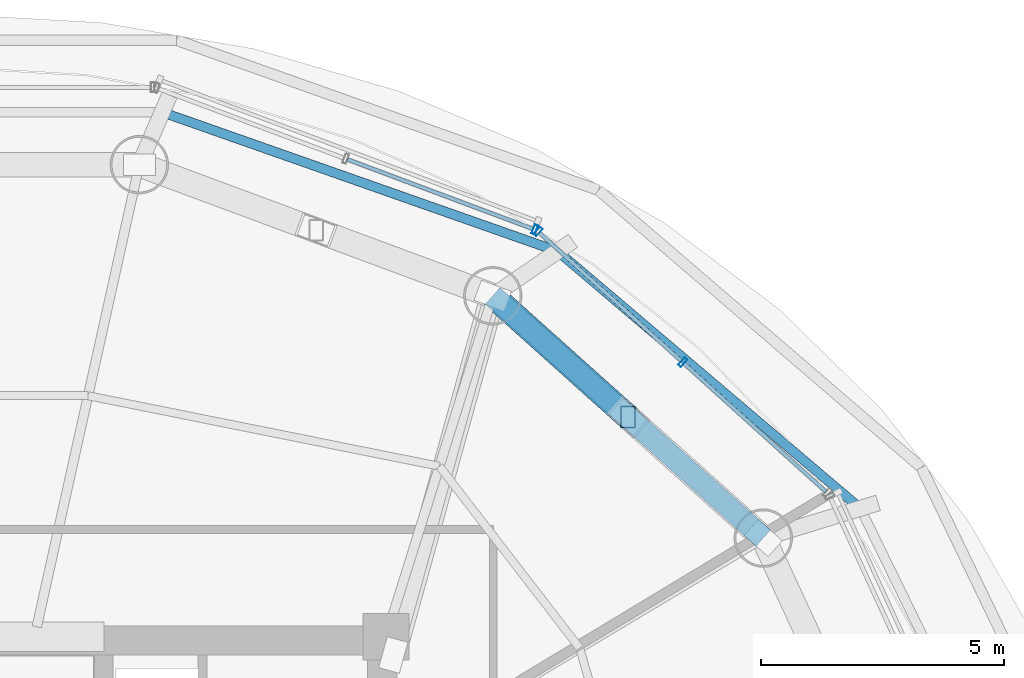
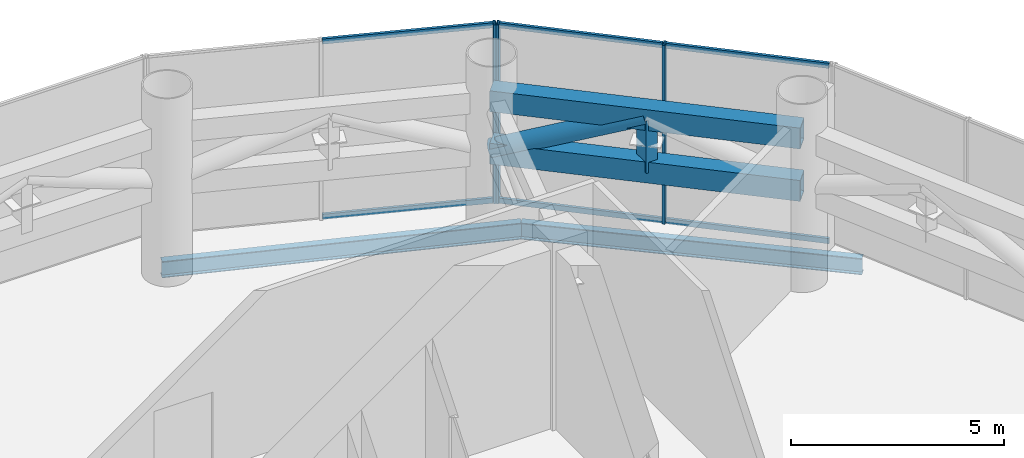
# One storey, part 18 of 25: 13 members, 2 beams, 2 elements without a shape of their own.
"""IFC4 building model written with IfcOpenShell, lengths in metres."""

from ifc_helpers import new_model, si_unit, direction, frame, origin, origin_2d, place, context, subcontext, project, spatial, hollow_rectangle, hollow_circle, i_section, extrude, source, transform, mapped, material, material_profile, profile_set, type_object, element, aggregate, save


model = new_model("IFC4")

# Units and contexts
model_context = context("Model", 3, precision=1e-05, world=origin(), true_north=direction((-0.2419218956, 0.970295726276)))
body_context = subcontext(model_context, "Body", "Model", "MODEL_VIEW")
ifc_project = project(units=[si_unit("LENGTHUNIT", "METRE"), si_unit("AREAUNIT", "SQUARE_METRE"), si_unit("VOLUMEUNIT", "CUBIC_METRE"), si_unit("PLANEANGLEUNIT", "RADIAN"), si_unit("MASSUNIT", "GRAM", prefix="KILO")], contexts=[model_context])

# Site, building, storey
site_placement = place(None, origin())
site = spatial("IfcSite", under=ifc_project, at=site_placement, CompositionType="ELEMENT")
building_placement = place(site_placement, origin())
building = spatial("IfcBuilding", under=site, at=building_placement, Name="Cobrevalo Terracotta Tower", CompositionType="ELEMENT")
storey_placement = place(building_placement, frame((0.0, 0.0, 185.800048828125)))
storey = spatial("IfcBuildingStorey", under=building, at=storey_placement, Name="L49", CompositionType="ELEMENT", Elevation=185.800048828125)

# Beams
ifc_material_1 = material(Name="Steel S355", Category="steel")
ifc_material_profile_1 = material_profile(ifc_material_1, i_section(OverallWidth=0.194091796875, OverallDepth=0.468994140625, WebThickness=0.011474609375, FlangeThickness=0.0205078125, at=origin_2d()), Name="W 460x106")
ifc_profile_set_1 = profile_set([ifc_material_profile_1], Name="Steel S355")
beam_type = type_object("IfcBeamType", Name="Structural Spandrel W 460x106 (Steel S355)", PredefinedType="SPANDREL", material=ifc_profile_set_1)
beam_1_placement = place(storey_placement, frame((56.749755859375, 37.439208984375, -0.6845703125), z_axis=(-0.762240337798, 0.647294112003, 0.0), x_axis=(-0.647294112003, -0.762240337798, 0.0)))
element("IfcBeam", 1, at=beam_1_placement, inside=storey, type_object=beam_type, Name="L49 perimeter ring spandrel 02", PredefinedType="SPANDREL", context=body_context, shape_type="SweptSolid", body=[
    extrude(i_section(OverallWidth=0.194091796875, OverallDepth=0.468994140625, WebThickness=0.011474609375, FlangeThickness=0.0205078125, at=origin_2d()), origin(), (0.0, 0.0, 1.0), 8.162353515625),
])
beam_2_placement = place(storey_placement, frame((50.528076171875, 42.72265625, -0.6845703125), z_axis=(-0.943341298492, 0.331824041565, 0.0), x_axis=(-0.331824041565, -0.943341298492, 0.0)))
element("IfcBeam", 2, at=beam_2_placement, inside=storey, type_object=beam_type, Name="L49 perimeter ring spandrel 03", PredefinedType="SPANDREL", context=body_context, shape_type="SweptSolid", body=[
    extrude(i_section(OverallWidth=0.194091796875, OverallDepth=0.468994140625, WebThickness=0.011474609375, FlangeThickness=0.0205078125, at=origin_2d()), origin(), (0.0, 0.0, 1.0), 8.6171875),
])

# Members
ifc_material_profile_2 = material_profile(ifc_material_1, hollow_rectangle(XDim=0.300048828125, YDim=0.449951171875, WallThickness=0.02001953125, at=origin_2d()), Name="RHS 450x300x20")
ifc_profile_set_2 = profile_set([ifc_material_profile_2], Name="Steel S355")
member_type_1 = type_object("IfcMemberType", Name="Steel Post RHS 450x300x20 (Steel S355)", PredefinedType="POST", material=ifc_profile_set_2)
shared_shape_1 = source(origin(), body_context, "Body", "SweptSolid", [
    extrude(hollow_rectangle(XDim=0.300048828125, YDim=0.449951171875, WallThickness=0.02001953125, at=origin_2d()), origin(), (0.0, 0.0, 1.0), 1.505126953125),
])
member_1_placement = place(storey_placement, frame((51.974365234375, 39.318115234375, 2.64990234375), z_axis=(0.0, 0.0, 1.0), x_axis=(1.0, 0.0, 0.0)))
element("IfcMember", 3, at=member_1_placement, inside=storey, type_object=member_type_1, Name="L49 belt truss post 02", PredefinedType="POST", context=body_context, shape_type="MappedRepresentation", body=[
    mapped(shared_shape_1, transform((0.0, 0.0, 0.0), scale=1.0)),
])
ifc_material_profile_3 = material_profile(ifc_material_1, hollow_rectangle(XDim=0.449951171875, YDim=0.60009765625, WallThickness=0.028076171875, at=origin_2d()), Name="RHS 600x450x28")
ifc_profile_set_3 = profile_set([ifc_material_profile_3], Name="Steel S355")
member_type_2 = type_object("IfcMemberType", Name="Steel Chord RHS 600x450x28 (Steel S355)", PredefinedType="CHORD", material=ifc_profile_set_3)
shared_shape_2 = source(origin(), body_context, "Body", "SweptSolid", [
    extrude(hollow_rectangle(XDim=0.449951171875, YDim=0.60009765625, WallThickness=0.028076171875, at=origin_2d()), origin(), (0.0, 0.0, 1.0), 7.463623046875),
])
for number, where, z_axis, x_axis, name in (
    (4, (54.754150390625, 36.828125, 2.64990234375), (-0.744851930997, 0.667229796165, 0.0), (-0.667229796165, -0.744851930997, 0.0), "L49 belt truss chord 02-BC"),
    (5, (54.754150390625, 36.828125, 4.155029296875), (-0.744851930997, 0.667229796165, 0.0), (-0.667229796165, -0.744851930997, 0.0), "L49 belt truss chord 02-TC"),
):
    element("IfcMember", number, at=place(storey_placement, frame(where, z_axis=z_axis, x_axis=x_axis)), inside=storey, type_object=member_type_2, Name=name, PredefinedType="CHORD", context=body_context, shape_type="MappedRepresentation", body=[
        mapped(shared_shape_2, transform((0.0, 0.0, 0.0), scale=1.0)),
    ])
ifc_material_profile_4 = material_profile(ifc_material_1, hollow_circle(Radius=0.25390625, WallThickness=0.02001953125, at=origin_2d()), Name="CHS 508x20")
ifc_profile_set_4 = profile_set([ifc_material_profile_4], Name="Steel S355")
member_type_3 = type_object("IfcMemberType", Name="Steel Brace CHS 508x20 (Steel S355)", PredefinedType="BRACE", material=ifc_profile_set_4)
shared_shape_3 = source(origin(), body_context, "Body", "SweptSolid", [
    extrude(hollow_circle(Radius=0.25390625, WallThickness=0.02001953125, at=origin_2d()), origin(), (0.0, 0.0, 1.0), 4.02392578125),
])
member_2_placement = place(storey_placement, frame((49.19482421875, 41.80810546875, 2.64990234375), z_axis=(0.690767881971, -0.618809102172, 0.374052173241), x_axis=(0.667246053133, 0.744837367872, 0.0)))
element("IfcMember", 6, at=member_2_placement, inside=storey, type_object=member_type_3, Name="L49 belt truss diagonal brace 02-D2", PredefinedType="BRACE", context=body_context, shape_type="MappedRepresentation", body=[
    mapped(shared_shape_3, transform((0.0, 0.0, 0.0), scale=1.0)),
])

# Curtain wall, members
ifc_material_2 = material(Name="Anodized aluminium", Category="aluminium")
curtain_wall_type = type_object("IfcCurtainWallType", Name="Belt-truss plant acoustic weather-louvre curtain wall CW-LV", PredefinedType="NOTDEFINED", material=ifc_material_2)
curtain_wall_1_placement = place(storey_placement, origin())
curtain_wall_1 = element("IfcCurtainWall", 7, at=curtain_wall_1_placement, inside=storey, type_object=curtain_wall_type, Name="L49 curtain wall CW-LV-L49-S02", PredefinedType="NOTDEFINED")
ifc_material_profile_5 = material_profile(ifc_material_2, hollow_rectangle(XDim=0.074951171875, YDim=0.199951171875, WallThickness=0.0048828125, at=origin_2d()), Name="CWM 75x200")
ifc_profile_set_5 = profile_set([ifc_material_profile_5], Name="Anodized aluminium")
member_type_4 = type_object("IfcMemberType", Name="Lower/mid tower unitised mullion 75x200", PredefinedType="MULLION", material=ifc_profile_set_5)
shared_shape_4 = source(origin(), body_context, "Body", "SweptSolid", [
    extrude(hollow_rectangle(XDim=0.074951171875, YDim=0.199951171875, WallThickness=0.0048828125, at=origin_2d()), origin(), (0.0, 0.0, 1.0), 5.135009765625),
])
member_3_placement = place(storey_placement, frame((53.097900390625, 40.441650390625, 0.0), z_axis=(0.0, 0.0, 1.0), x_axis=(-0.741987542015, 0.670413668935, 0.0)))
member_3 = element("IfcMember", 8, at=member_3_placement, type_object=member_type_4, Name="CW-LV-L49-S02 vertical mullion 02", PredefinedType="MULLION", context=body_context, shape_type="MappedRepresentation", body=[
    mapped(shared_shape_4, transform((0.0, 0.0, 0.0), scale=1.0)),
])
member_4_placement = place(storey_placement, frame((50.12451171875, 43.128173828125, 0.0), z_axis=(0.0, 0.0, 1.0), x_axis=(-0.741987542015, 0.670413668935, 0.0)))
member_4 = element("IfcMember", 9, at=member_4_placement, type_object=member_type_4, Name="CW-LV-L49-S02 vertical mullion 03", PredefinedType="MULLION", context=body_context, shape_type="MappedRepresentation", body=[
    mapped(shared_shape_4, transform((0.0, 0.0, 0.0), scale=1.0)),
])

# Curtain wall, member
curtain_wall_2_placement = place(storey_placement, origin())
curtain_wall_2 = element("IfcCurtainWall", 10, at=curtain_wall_2_placement, inside=storey, type_object=curtain_wall_type, Name="L49 curtain wall CW-LV-L49-S03", PredefinedType="NOTDEFINED")
member_5_placement = place(storey_placement, frame((50.057373046875, 43.1689453125, 0.0), z_axis=(0.0, 0.0, 1.0), x_axis=(-0.936556004584, 0.350517974259, 0.0)))
member_5 = element("IfcMember", 11, at=member_5_placement, type_object=member_type_4, Name="CW-LV-L49-S03 vertical mullion 01", PredefinedType="MULLION", context=body_context, shape_type="MappedRepresentation", body=[
    mapped(shared_shape_4, transform((0.0, 0.0, 0.0), scale=1.0)),
])

# Member
ifc_material_profile_6 = material_profile(ifc_material_2, hollow_rectangle(XDim=0.074951171875, YDim=0.14990234375, WallThickness=0.00439453125, at=origin_2d()), Name="CWT 75x150")
ifc_profile_set_6 = profile_set([ifc_material_profile_6], Name="Anodized aluminium")
member_type_5 = type_object("IfcMemberType", Name="Tower unitised aluminium transom 75x150", PredefinedType="USERDEFINED", material=ifc_profile_set_6)
shared_shape_5 = source(origin(), body_context, "Body", "SweptSolid", [
    extrude(hollow_rectangle(XDim=0.074951171875, YDim=0.14990234375, WallThickness=0.00439453125, at=origin_2d()), origin(), (0.0, 0.0, 1.0), 3.927490234375),
])
member_6_placement = place(storey_placement, frame((56.041748046875, 37.78173828125, 0.050048828125), z_axis=(-0.741975952623, 0.670426495396, 0.0), x_axis=(-0.670426495396, -0.741975952623, 0.0)))
member_6 = element("IfcMember", 12, at=member_6_placement, type_object=member_type_5, Name="CW-LV-L49-S02 transom B01-T1", ObjectType="TRANSOM", PredefinedType="USERDEFINED", context=body_context, shape_type="MappedRepresentation", body=[
    mapped(shared_shape_5, transform((0.0, 0.0, 0.0), scale=1.0)),
])

member_7_placement = place(storey_placement, frame((56.041748046875, 37.78173828125, 5.0849609375), z_axis=(-0.741975952623, 0.670426495396, 0.0), x_axis=(-0.670426495396, -0.741975952623, 0.0)))
member_7 = element("IfcMember", 13, at=member_7_placement, type_object=member_type_5, Name="CW-LV-L49-S02 transom B01-T2", ObjectType="TRANSOM", PredefinedType="USERDEFINED", context=body_context, shape_type="MappedRepresentation", body=[
    mapped(shared_shape_5, transform((0.0, 0.0, 0.0), scale=1.0)),
])

shared_shape_6 = source(origin(), body_context, "Body", "SweptSolid", [
    extrude(hollow_rectangle(XDim=0.074951171875, YDim=0.14990234375, WallThickness=0.00439453125, at=origin_2d()), origin(), (0.0, 0.0, 1.0), 3.927734375),
])
member_8_placement = place(storey_placement, frame((53.068359375, 40.46826171875, 0.050048828125), z_axis=(-0.742003891138, 0.670395573923, 0.0), x_axis=(-0.670395573923, -0.742003891138, 0.0)))
member_8 = element("IfcMember", 14, at=member_8_placement, type_object=member_type_5, Name="CW-LV-L49-S02 transom B02-T1", ObjectType="TRANSOM", PredefinedType="USERDEFINED", context=body_context, shape_type="MappedRepresentation", body=[
    mapped(shared_shape_6, transform((0.0, 0.0, 0.0), scale=1.0)),
])

member_9_placement = place(storey_placement, frame((53.068359375, 40.46826171875, 5.0849609375), z_axis=(-0.742003891138, 0.670395573923, 0.0), x_axis=(-0.670395573923, -0.742003891138, 0.0)))
member_9 = element("IfcMember", 15, at=member_9_placement, type_object=member_type_5, Name="CW-LV-L49-S02 transom B02-T2", ObjectType="TRANSOM", PredefinedType="USERDEFINED", context=body_context, shape_type="MappedRepresentation", body=[
    mapped(shared_shape_6, transform((0.0, 0.0, 0.0), scale=1.0)),
])

aggregate(curtain_wall_1, [member_3, member_4, member_6, member_7, member_8, member_9])

shared_shape_7 = source(origin(), body_context, "Body", "SweptSolid", [
    extrude(hollow_rectangle(XDim=0.074951171875, YDim=0.14990234375, WallThickness=0.00439453125, at=origin_2d()), origin(), (0.0, 0.0, 1.0), 4.069580078125),
])
member_10_placement = place(storey_placement, frame((50.019775390625, 43.18310546875, 0.050048828125), z_axis=(-0.936548420649, 0.350538237259, 0.0), x_axis=(-0.350538237259, -0.936548420649, 0.0)))
member_10 = element("IfcMember", 16, at=member_10_placement, type_object=member_type_5, Name="CW-LV-L49-S03 transom B01-T1", ObjectType="TRANSOM", PredefinedType="USERDEFINED", context=body_context, shape_type="MappedRepresentation", body=[
    mapped(shared_shape_7, transform((0.0, 0.0, 0.0), scale=1.0)),
])

member_11_placement = place(storey_placement, frame((50.019775390625, 43.18310546875, 5.0849609375), z_axis=(-0.936548420649, 0.350538237259, 0.0), x_axis=(-0.350538237259, -0.936548420649, 0.0)))
member_11 = element("IfcMember", 17, at=member_11_placement, type_object=member_type_5, Name="CW-LV-L49-S03 transom B01-T2", ObjectType="TRANSOM", PredefinedType="USERDEFINED", context=body_context, shape_type="MappedRepresentation", body=[
    mapped(shared_shape_7, transform((0.0, 0.0, 0.0), scale=1.0)),
])

aggregate(curtain_wall_2, [member_5, member_10, member_11])

save(model, "model.ifc")
